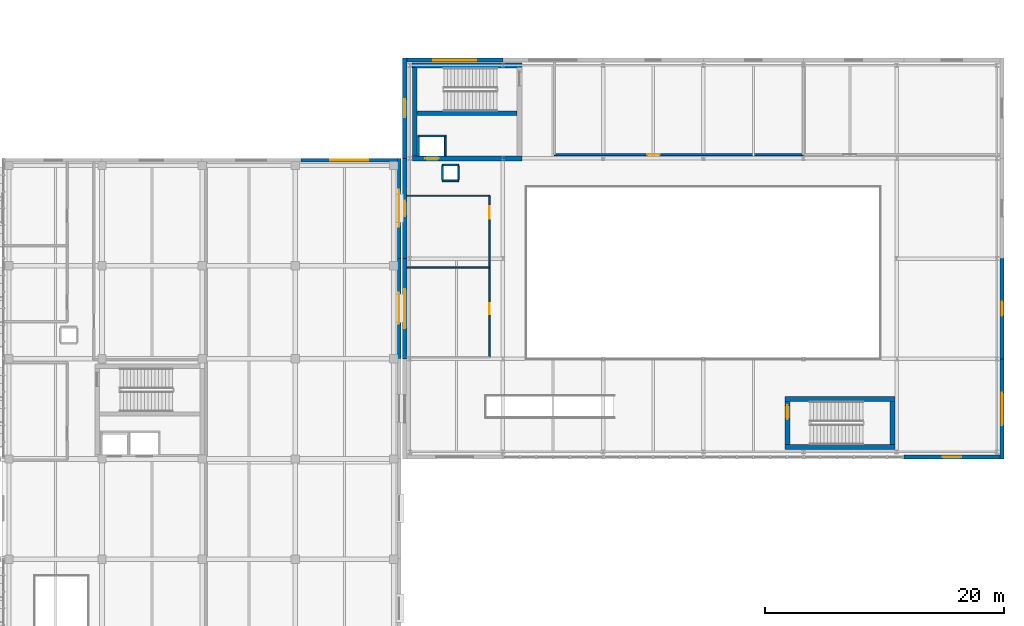
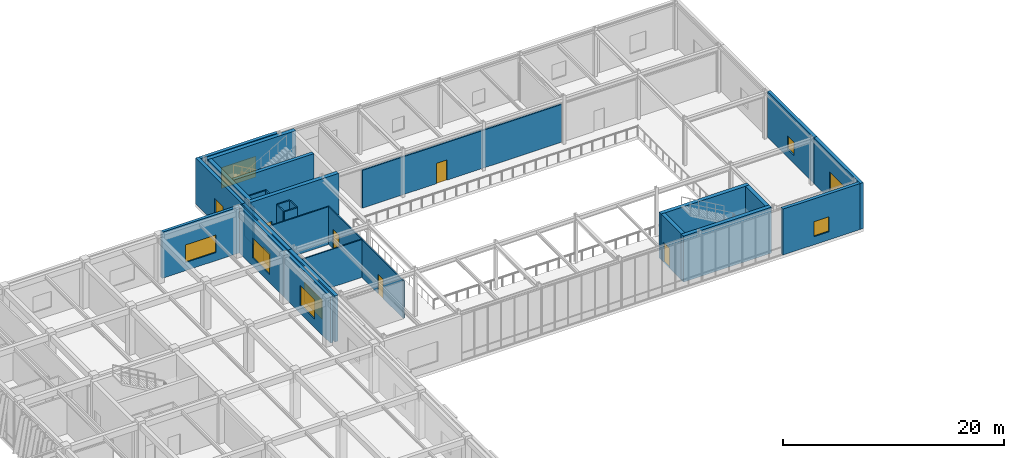
# One storey, part 119 of 139: 30 walls, 10 windows, 5 doors, 15 openings.
"""IFC4 building model written with IfcOpenShell, lengths in metres."""

from ifc_helpers import new_model, si_unit, direction, frame, frame_2d, origin, place, context, subcontext, project, spatial, rectangle, extrude, material, layer, layer_set, type_object, element, fill, save


model = new_model("IFC4")

# Units and contexts
model_context = context("Model", 3, precision=1e-05, world=origin(), true_north=direction((0.0, 1.0)))
body_context = subcontext(model_context, "Body", "Model", "MODEL_VIEW")
ifc_project = project(units=[si_unit("LENGTHUNIT", "METRE"), si_unit("AREAUNIT", "SQUARE_METRE"), si_unit("VOLUMEUNIT", "CUBIC_METRE"), si_unit("PLANEANGLEUNIT", "RADIAN"), si_unit("MASSUNIT", "GRAM", prefix="KILO")], contexts=[model_context])

# Site, building, storey
site_placement = place(None, origin())
site = spatial("IfcSite", under=ifc_project, at=site_placement, CompositionType="ELEMENT")
building_placement = place(site_placement, origin())
building = spatial("IfcBuilding", under=site, at=building_placement, Name="Zayran Congress Hotel", CompositionType="ELEMENT")
storey_placement = place(building_placement, frame((0.0, 0.0, 5.39990234375)))
storey = spatial("IfcBuildingStorey", under=building, at=storey_placement, Name="L01", CompositionType="ELEMENT", Elevation=5.39990234375)

# Wall, opening, window
ifc_material_1 = material(Name="Hajar Ma'ani limestone and insulated concrete C32/40", Category="masonry")
ifc_layer_1 = layer(ifc_material_1, 0.340087890625)
ifc_layer_set_1 = layer_set([ifc_layer_1], Name="Hajar Ma'ani limestone and insulated concrete C32/40")
wall_type_1 = type_object("IfcWallType", Name="WL-EX-340", PredefinedType="SOLIDWALL", material=ifc_layer_set_1)
wall_1_placement = place(storey_placement, frame((143.139892578125, 117.830078125, 0.0), z_axis=(0.0, 0.0, 1.0), x_axis=(1.0, 0.0, 0.0)))
wall_1 = element("IfcWall", 1, at=wall_1_placement, inside=storey, type_object=wall_type_1, Name="EW-V2-N-L01-0", PredefinedType="SOLIDWALL", context=body_context, shape_type="SweptSolid", body=[
    extrude(rectangle(XDim=8.06005859375, YDim=0.340087890625, at=frame_2d((4.030029296875, 0.0))), origin(), (0.0, 0.0, 1.0), 5.080078125),
])
opening_1_placement = place(wall_1_placement, frame((2.22998046875, 0.0, 0.89990234375)))
opening_1 = element("IfcOpeningElement", 2, at=opening_1_placement, cuts=wall_1, Name="Opening WN-21", PredefinedType="OPENING", context=body_context, shape_type="SweptSolid", body=[
    extrude(rectangle(XDim=3.60009765625, YDim=2.300048828125, at=frame_2d((1.800048828125, 1.14990234375))), frame((0.0, 0.179931640625, 0.0), z_axis=(0.0, -1.0, 0.0), x_axis=(1.0, 0.0, 0.0)), (0.0, 0.0, 1.0), 0.360107421875),
])
ifc_material_2 = material(Name="Anodised aluminium and low-E insulated glass", Category="aluminium")
window_type_1 = type_object("IfcWindowType", Name="TP-WN-21", PartitioningType="TRIPLE_PANEL_VERTICAL", PredefinedType="WINDOW", material=ifc_material_2)
window_1_placement = place(opening_1_placement, origin())
window_1 = element("IfcWindow", 3, at=window_1_placement, inside=storey, type_object=window_type_1, Name="WIN-V2-0027", OverallHeight=2.300048828125, OverallWidth=3.60009765625, PartitioningType="SINGLE_PANEL", PredefinedType="WINDOW", context=body_context, shape_type="SweptSolid", body=[
    extrude(rectangle(XDim=3.60009765625, YDim=2.300048828125, at=frame_2d((1.800048828125, 1.14990234375))), frame((0.0, 0.030029296875, 0.0), z_axis=(0.0, -1.0, 0.0), x_axis=(1.0, 0.0, 0.0)), (0.0, 0.0, 1.0), 0.06005859375),
])
fill(opening_1, window_1)

wall_2_placement = place(storey_placement, frame((192.860107421875, 84.570068359375, 0.0), z_axis=(0.0, 0.0, 1.0), x_axis=(-1.0, 0.0, 0.0)))
wall_2 = element("IfcWall", 4, at=wall_2_placement, inside=storey, type_object=wall_type_1, Name="EW-V2-S-L01-5", PredefinedType="SOLIDWALL", context=body_context, shape_type="SweptSolid", body=[
    extrude(rectangle(XDim=8.06005859375, YDim=0.340087890625, at=frame_2d((4.030029296875, 0.0))), origin(), (0.0, 0.0, 1.0), 5.080078125),
])
opening_2_placement = place(wall_2_placement, frame((3.2548828125, 0.0, 0.89990234375)))
opening_2 = element("IfcOpeningElement", 5, at=opening_2_placement, cuts=wall_2, Name="Opening WN-26", PredefinedType="OPENING", context=body_context, shape_type="SweptSolid", body=[
    extrude(rectangle(XDim=1.550048828125, YDim=1.64990234375, at=frame_2d((0.77490234375, 0.824951171875))), frame((0.0, 0.179931640625, 0.0), z_axis=(0.0, -1.0, 0.0), x_axis=(1.0, 0.0, 0.0)), (0.0, 0.0, 1.0), 0.360107421875),
])
window_type_2 = type_object("IfcWindowType", Name="TP-WN-26", PartitioningType="SINGLE_PANEL", PredefinedType="WINDOW", material=ifc_material_2)
window_2_placement = place(opening_2_placement, origin())
window_2 = element("IfcWindow", 6, at=window_2_placement, inside=storey, type_object=window_type_2, Name="WIN-V2-0032", OverallHeight=1.64990234375, OverallWidth=1.550048828125, PartitioningType="SINGLE_PANEL", PredefinedType="WINDOW", context=body_context, shape_type="SweptSolid", body=[
    extrude(rectangle(XDim=1.550048828125, YDim=1.64990234375, at=frame_2d((0.77490234375, 0.824951171875))), frame((0.0, 0.030029296875, 0.0), z_axis=(0.0, -1.0, 0.0), x_axis=(1.0, 0.0, 0.0)), (0.0, 0.0, 1.0), 0.06005859375),
])
fill(opening_2, window_2)

wall_3_placement = place(storey_placement, frame((193.030029296875, 92.800048828125, 0.0), z_axis=(0.0, 0.0, 1.0), x_axis=(0.0, -1.0, 0.0)))
wall_3 = element("IfcWall", 7, at=wall_3_placement, inside=storey, type_object=wall_type_1, Name="EW-V2-E-L01-0", PredefinedType="SOLIDWALL", context=body_context, shape_type="SweptSolid", body=[
    extrude(rectangle(XDim=8.400146484375, YDim=0.340087890625, at=frame_2d((4.2001953125, 0.0))), origin(), (0.0, 0.0, 1.0), 5.080078125),
])
opening_3_placement = place(wall_3_placement, frame((2.824951171875, 0.0, 0.89990234375)))
opening_3 = element("IfcOpeningElement", 8, at=opening_3_placement, cuts=wall_3, Name="Opening WN-29", PredefinedType="OPENING", context=body_context, shape_type="SweptSolid", body=[
    extrude(rectangle(XDim=2.75, YDim=2.10009765625, at=frame_2d((1.375, 1.050048828125))), frame((0.0, 0.179931640625, 0.0), z_axis=(0.0, -1.0, 0.0), x_axis=(1.0, 0.0, 0.0)), (0.0, 0.0, 1.0), 0.360107421875),
])
window_type_3 = type_object("IfcWindowType", Name="TP-WN-29", PartitioningType="TRIPLE_PANEL_VERTICAL", PredefinedType="WINDOW", material=ifc_material_2)
window_3_placement = place(opening_3_placement, origin())
window_3 = element("IfcWindow", 9, at=window_3_placement, inside=storey, type_object=window_type_3, Name="WIN-V2-0035", OverallHeight=2.10009765625, OverallWidth=2.75, PartitioningType="SINGLE_PANEL", PredefinedType="WINDOW", context=body_context, shape_type="SweptSolid", body=[
    extrude(rectangle(XDim=2.75, YDim=2.10009765625, at=frame_2d((1.375, 1.050048828125))), frame((0.0, 0.030029296875, 0.0), z_axis=(0.0, -1.0, 0.0), x_axis=(1.0, 0.0, 0.0)), (0.0, 0.0, 1.0), 0.06005859375),
])
fill(opening_3, window_3)

wall_4_placement = place(storey_placement, frame((142.969970703125, 92.800048828125, 0.0), z_axis=(0.0, 0.0, 1.0), x_axis=(0.0, 1.0, 0.0)))
wall_4 = element("IfcWall", 10, at=wall_4_placement, inside=storey, type_object=wall_type_1, Name="EW-V2-W-L01-1", PredefinedType="SOLIDWALL", context=body_context, shape_type="SweptSolid", body=[
    extrude(rectangle(XDim=8.39990234375, YDim=0.340087890625, at=frame_2d((4.199951171875, 0.0))), origin(), (0.0, 0.0, 1.0), 5.080078125),
])
opening_4_placement = place(wall_4_placement, frame((2.550048828125, 0.0, 0.89990234375)))
opening_4 = element("IfcOpeningElement", 11, at=opening_4_placement, cuts=wall_4, Name="Opening WN-30", PredefinedType="OPENING", context=body_context, shape_type="SweptSolid", body=[
    extrude(rectangle(XDim=3.300048828125, YDim=2.14990234375, at=frame_2d((1.64990234375, 1.074951171875))), frame((0.0, 0.179931640625, 0.0), z_axis=(0.0, -1.0, 0.0), x_axis=(1.0, 0.0, 0.0)), (0.0, 0.0, 1.0), 0.360107421875),
])
window_type_4 = type_object("IfcWindowType", Name="TP-WN-30", PartitioningType="TRIPLE_PANEL_VERTICAL", PredefinedType="WINDOW", material=ifc_material_2)
window_4_placement = place(opening_4_placement, origin())
window_4 = element("IfcWindow", 12, at=window_4_placement, inside=storey, type_object=window_type_4, Name="WIN-V2-0036", OverallHeight=2.14990234375, OverallWidth=3.300048828125, PartitioningType="SINGLE_PANEL", PredefinedType="WINDOW", context=body_context, shape_type="SweptSolid", body=[
    extrude(rectangle(XDim=3.300048828125, YDim=2.14990234375, at=frame_2d((1.64990234375, 1.074951171875))), frame((0.0, 0.030029296875, 0.0), z_axis=(0.0, -1.0, 0.0), x_axis=(1.0, 0.0, 0.0)), (0.0, 0.0, 1.0), 0.06005859375),
])
fill(opening_4, window_4)

wall_5_placement = place(storey_placement, frame((193.030029296875, 101.199951171875, 0.0), z_axis=(0.0, 0.0, 1.0), x_axis=(0.0, -1.0, 0.0)))
wall_5 = element("IfcWall", 13, at=wall_5_placement, inside=storey, type_object=wall_type_1, Name="EW-V2-E-L01-1", PredefinedType="SOLIDWALL", context=body_context, shape_type="SweptSolid", body=[
    extrude(rectangle(XDim=8.39990234375, YDim=0.340087890625, at=frame_2d((4.199951171875, 0.0))), origin(), (0.0, 0.0, 1.0), 5.080078125),
])
opening_5_placement = place(wall_5_placement, frame((3.610107421875, 0.0, 0.89990234375)))
opening_5 = element("IfcOpeningElement", 14, at=opening_5_placement, cuts=wall_5, Name="Opening WN-31", PredefinedType="OPENING", context=body_context, shape_type="SweptSolid", body=[
    extrude(rectangle(XDim=1.179931640625, YDim=1.5, at=frame_2d((0.58984375, 0.75))), frame((0.0, 0.179931640625, 0.0), z_axis=(0.0, -1.0, 0.0), x_axis=(1.0, 0.0, 0.0)), (0.0, 0.0, 1.0), 0.360107421875),
])
window_type_5 = type_object("IfcWindowType", Name="TP-WN-31", PartitioningType="SINGLE_PANEL", PredefinedType="WINDOW", material=ifc_material_2)
window_5_placement = place(opening_5_placement, origin())
window_5 = element("IfcWindow", 15, at=window_5_placement, inside=storey, type_object=window_type_5, Name="WIN-V2-0037", OverallHeight=1.5, OverallWidth=1.179931640625, PartitioningType="SINGLE_PANEL", PredefinedType="WINDOW", context=body_context, shape_type="SweptSolid", body=[
    extrude(rectangle(XDim=1.179931640625, YDim=1.5, at=frame_2d((0.58984375, 0.75))), frame((0.0, 0.030029296875, 0.0), z_axis=(0.0, -1.0, 0.0), x_axis=(1.0, 0.0, 0.0)), (0.0, 0.0, 1.0), 0.06005859375),
])
fill(opening_5, window_5)

wall_6_placement = place(storey_placement, frame((142.969970703125, 101.199951171875, 0.0), z_axis=(0.0, 0.0, 1.0), x_axis=(0.0, 1.0, 0.0)))
wall_6 = element("IfcWall", 16, at=wall_6_placement, inside=storey, type_object=wall_type_1, Name="EW-V2-W-L01-2", PredefinedType="SOLIDWALL", context=body_context, shape_type="SweptSolid", body=[
    extrude(rectangle(XDim=8.400146484375, YDim=0.340087890625, at=frame_2d((4.2001953125, 0.0))), origin(), (0.0, 0.0, 1.0), 5.080078125),
])
opening_6_placement = place(wall_6_placement, frame((3.56005859375, 0.0, 0.89990234375)))
opening_6 = element("IfcOpeningElement", 17, at=opening_6_placement, cuts=wall_6, Name="Opening WN-32", PredefinedType="OPENING", context=body_context, shape_type="SweptSolid", body=[
    extrude(rectangle(XDim=1.280029296875, YDim=1.60009765625, at=frame_2d((0.64013671875, 0.800048828125))), frame((0.0, 0.179931640625, 0.0), z_axis=(0.0, -1.0, 0.0), x_axis=(1.0, 0.0, 0.0)), (0.0, 0.0, 1.0), 0.360107421875),
])
window_type_6 = type_object("IfcWindowType", Name="TP-WN-32", PartitioningType="SINGLE_PANEL", PredefinedType="WINDOW", material=ifc_material_2)
window_6_placement = place(opening_6_placement, origin())
window_6 = element("IfcWindow", 18, at=window_6_placement, inside=storey, type_object=window_type_6, Name="WIN-V2-0038", OverallHeight=1.60009765625, OverallWidth=1.280029296875, PartitioningType="SINGLE_PANEL", PredefinedType="WINDOW", context=body_context, shape_type="SweptSolid", body=[
    extrude(rectangle(XDim=1.280029296875, YDim=1.60009765625, at=frame_2d((0.64013671875, 0.800048828125))), frame((0.0, 0.030029296875, 0.0), z_axis=(0.0, -1.0, 0.0), x_axis=(1.0, 0.0, 0.0)), (0.0, 0.0, 1.0), 0.06005859375),
])
fill(opening_6, window_6)

wall_7_placement = place(storey_placement, frame((142.969970703125, 109.60009765625, 0.0), z_axis=(0.0, 0.0, 1.0), x_axis=(0.0, 1.0, 0.0)))
wall_7 = element("IfcWall", 19, at=wall_7_placement, inside=storey, type_object=wall_type_1, Name="EW-V2-W-L01-3", PredefinedType="SOLIDWALL", context=body_context, shape_type="SweptSolid", body=[
    extrude(rectangle(XDim=8.39990234375, YDim=0.340087890625, at=frame_2d((4.199951171875, 0.0))), origin(), (0.0, 0.0, 1.0), 5.080078125),
])
opening_7_placement = place(wall_7_placement, frame((3.4599609375, 0.0, 0.89990234375)))
opening_7 = element("IfcOpeningElement", 20, at=opening_7_placement, cuts=wall_7, Name="Opening WN-34", PredefinedType="OPENING", context=body_context, shape_type="SweptSolid", body=[
    extrude(rectangle(XDim=1.47998046875, YDim=1.800048828125, at=frame_2d((0.739990234375, 0.89990234375))), frame((0.0, 0.179931640625, 0.0), z_axis=(0.0, -1.0, 0.0), x_axis=(1.0, 0.0, 0.0)), (0.0, 0.0, 1.0), 0.360107421875),
])
window_type_7 = type_object("IfcWindowType", Name="TP-WN-34", PartitioningType="SINGLE_PANEL", PredefinedType="WINDOW", material=ifc_material_2)
window_7_placement = place(opening_7_placement, origin())
window_7 = element("IfcWindow", 21, at=window_7_placement, inside=storey, type_object=window_type_7, Name="WIN-V2-0040", OverallHeight=1.800048828125, OverallWidth=1.47998046875, PartitioningType="SINGLE_PANEL", PredefinedType="WINDOW", context=body_context, shape_type="SweptSolid", body=[
    extrude(rectangle(XDim=1.47998046875, YDim=1.800048828125, at=frame_2d((0.739990234375, 0.89990234375))), frame((0.0, 0.030029296875, 0.0), z_axis=(0.0, -1.0, 0.0), x_axis=(1.0, 0.0, 0.0)), (0.0, 0.0, 1.0), 0.06005859375),
])
fill(opening_7, window_7)

ifc_material_3 = material(Name="Ajlun white limestone and insulated concrete C32/40", Category="masonry")
ifc_layer_2 = layer(ifc_material_3, 0.300048828125)
ifc_layer_set_2 = layer_set([ifc_layer_2], Name="Ajlun white limestone and insulated concrete C32/40")
wall_type_2 = type_object("IfcWallType", Name="WL-EX-300", PredefinedType="SOLIDWALL", material=ifc_layer_set_2)
wall_8_placement = place(storey_placement, frame((134.287109375, 109.449951171875, 0.0), z_axis=(0.0, 0.0, 1.0), x_axis=(1.0, 0.0, 0.0)))
wall_8 = element("IfcWall", 22, at=wall_8_placement, inside=storey, type_object=wall_type_2, Name="EW-V4-N-L01-3", PredefinedType="SOLIDWALL", context=body_context, shape_type="SweptSolid", body=[
    extrude(rectangle(XDim=8.06298828125, YDim=0.300048828125, at=frame_2d((4.031494140625, 0.0))), origin(), (0.0, 0.0, 1.0), 5.10009765625),
])
opening_8_placement = place(wall_8_placement, frame((2.431884765625, 0.0, 0.89990234375)))
opening_8 = element("IfcOpeningElement", 23, at=opening_8_placement, cuts=wall_8, Name="Opening WN-12", PredefinedType="OPENING", context=body_context, shape_type="SweptSolid", body=[
    extrude(rectangle(XDim=3.199951171875, YDim=1.949951171875, at=frame_2d((1.60009765625, 0.97509765625))), frame((0.0, 0.159912109375, 0.0), z_axis=(0.0, -1.0, 0.0), x_axis=(1.0, 0.0, 0.0)), (0.0, 0.0, 1.0), 0.320068359375),
])
window_type_8 = type_object("IfcWindowType", Name="TP-WN-12", PartitioningType="TRIPLE_PANEL_VERTICAL", PredefinedType="WINDOW", material=ifc_material_2)
window_8_placement = place(opening_8_placement, origin())
window_8 = element("IfcWindow", 24, at=window_8_placement, inside=storey, type_object=window_type_8, Name="WIN-V4-0124", OverallHeight=1.949951171875, OverallWidth=3.199951171875, PartitioningType="SINGLE_PANEL", PredefinedType="WINDOW", context=body_context, shape_type="SweptSolid", body=[
    extrude(rectangle(XDim=3.199951171875, YDim=1.949951171875, at=frame_2d((1.60009765625, 0.97509765625))), frame((0.0, 0.030029296875, 0.0), z_axis=(0.0, -1.0, 0.0), x_axis=(1.0, 0.0, 0.0)), (0.0, 0.0, 1.0), 0.06005859375),
])
fill(opening_8, window_8)

wall_9_placement = place(storey_placement, frame((142.5, 101.218994140625, 0.0), z_axis=(0.0, 0.0, 1.0), x_axis=(0.0, -1.0, 0.0)))
wall_9 = element("IfcWall", 25, at=wall_9_placement, inside=storey, type_object=wall_type_2, Name="EW-V4-E-L01-6", PredefinedType="SOLIDWALL", context=body_context, shape_type="SweptSolid", body=[
    extrude(rectangle(XDim=8.382080078125, YDim=0.300048828125, at=frame_2d((4.19091796875, 0.0))), origin(), (0.0, 0.0, 1.0), 5.10009765625),
])
opening_9_placement = place(wall_9_placement, frame((2.89111328125, 0.0, 0.89990234375)))
opening_9 = element("IfcOpeningElement", 26, at=opening_9_placement, cuts=wall_9, Name="Opening WN-19", PredefinedType="OPENING", context=body_context, shape_type="SweptSolid", body=[
    extrude(rectangle(XDim=2.60009765625, YDim=2.199951171875, at=frame_2d((1.300048828125, 1.10009765625))), frame((0.0, 0.159912109375, 0.0), z_axis=(0.0, -1.0, 0.0), x_axis=(1.0, 0.0, 0.0)), (0.0, 0.0, 1.0), 0.320068359375),
])
window_type_9 = type_object("IfcWindowType", Name="TP-WN-19", PartitioningType="DOUBLE_PANEL_VERTICAL", PredefinedType="WINDOW", material=ifc_material_2)
window_9_placement = place(opening_9_placement, origin())
window_9 = element("IfcWindow", 27, at=window_9_placement, inside=storey, type_object=window_type_9, Name="WIN-V4-0131", OverallHeight=2.199951171875, OverallWidth=2.60009765625, PartitioningType="SINGLE_PANEL", PredefinedType="WINDOW", context=body_context, shape_type="SweptSolid", body=[
    extrude(rectangle(XDim=2.60009765625, YDim=2.199951171875, at=frame_2d((1.300048828125, 1.10009765625))), frame((0.0, 0.030029296875, 0.0), z_axis=(0.0, -1.0, 0.0), x_axis=(1.0, 0.0, 0.0)), (0.0, 0.0, 1.0), 0.06005859375),
])
fill(opening_9, window_9)

wall_10_placement = place(storey_placement, frame((142.5, 109.60009765625, 0.0), z_axis=(0.0, 0.0, 1.0), x_axis=(0.0, -1.0, 0.0)))
wall_10 = element("IfcWall", 28, at=wall_10_placement, inside=storey, type_object=wall_type_2, Name="EW-V4-E-L01-7", PredefinedType="SOLIDWALL", context=body_context, shape_type="SweptSolid", body=[
    extrude(rectangle(XDim=8.381103515625, YDim=0.300048828125, at=frame_2d((4.1904296875, 0.0))), origin(), (0.0, 0.0, 1.0), 5.10009765625),
])
opening_10_placement = place(wall_10_placement, frame((2.64111328125, 0.0, 0.89990234375)))
opening_10 = element("IfcOpeningElement", 29, at=opening_10_placement, cuts=wall_10, Name="Opening WN-20", PredefinedType="OPENING", context=body_context, shape_type="SweptSolid", body=[
    extrude(rectangle(XDim=3.10009765625, YDim=2.199951171875, at=frame_2d((1.550048828125, 1.10009765625))), frame((0.0, 0.159912109375, 0.0), z_axis=(0.0, -1.0, 0.0), x_axis=(1.0, 0.0, 0.0)), (0.0, 0.0, 1.0), 0.320068359375),
])
window_type_10 = type_object("IfcWindowType", Name="TP-WN-20", PartitioningType="TRIPLE_PANEL_VERTICAL", PredefinedType="WINDOW", material=ifc_material_2)
window_10_placement = place(opening_10_placement, origin())
window_10 = element("IfcWindow", 30, at=window_10_placement, inside=storey, type_object=window_type_10, Name="WIN-V4-0132", OverallHeight=2.199951171875, OverallWidth=3.10009765625, PartitioningType="SINGLE_PANEL", PredefinedType="WINDOW", context=body_context, shape_type="SweptSolid", body=[
    extrude(rectangle(XDim=3.10009765625, YDim=2.199951171875, at=frame_2d((1.550048828125, 1.10009765625))), frame((0.0, 0.030029296875, 0.0), z_axis=(0.0, -1.0, 0.0), x_axis=(1.0, 0.0, 0.0)), (0.0, 0.0, 1.0), 0.06005859375),
])
fill(opening_10, window_10)

# Wall, opening, door
ifc_material_4 = material(Name="Concrete C40/50", Category="concrete")
ifc_layer_3 = layer(ifc_material_4, 0.39990234375)
ifc_layer_set_3 = layer_set([ifc_layer_3], Name="Concrete C40/50")
wall_type_3 = type_object("IfcWallType", Name="WL-SH-400", PredefinedType="SHEAR", material=ifc_layer_set_3)
wall_11_placement = place(storey_placement, frame((143.60009765625, 109.60009765625, 0.0), z_axis=(0.0, 0.0, 1.0), x_axis=(1.0, 0.0, 0.0)))
wall_11 = element("IfcWall", 31, at=wall_11_placement, inside=storey, type_object=wall_type_3, Name="CWALL-C-V2W-L01-S", PredefinedType="SHEAR", context=body_context, shape_type="SweptSolid", body=[
    extrude(rectangle(XDim=9.199951171875, YDim=0.39990234375, at=frame_2d((4.60009765625, 0.0))), origin(), (0.0, 0.0, 1.0), 5.080078125),
])
opening_11_placement = place(wall_11_placement, frame((1.10009765625, 0.0, 0.0)))
opening_11 = element("IfcOpeningElement", 32, at=opening_11_placement, cuts=wall_11, Name="Opening LD-PL07", PredefinedType="OPENING", context=body_context, shape_type="SweptSolid", body=[
    extrude(rectangle(XDim=1.10009765625, YDim=2.199951171875, at=frame_2d((0.550048828125, 1.10009765625))), frame((0.0, 0.2099609375, 0.0), z_axis=(0.0, -1.0, 0.0), x_axis=(1.0, 0.0, 0.0)), (0.0, 0.0, 1.0), 0.419921875),
])
ifc_material_5 = material(Name="Brushed stainless steel sliding lift landing door", Category="steel")
door_type_1 = type_object("IfcDoorType", Name="TP-DR-LD-01", OperationType="DOUBLE_DOOR_SLIDING", PredefinedType="DOOR", material=ifc_material_5)
door_1_placement = place(opening_11_placement, origin())
door_1 = element("IfcDoor", 33, at=door_1_placement, inside=storey, type_object=door_type_1, Name="Lift PL-07 Sliding Landing Door L01", OperationType="DOUBLE_DOOR_SLIDING", OverallHeight=2.199951171875, OverallWidth=1.10009765625, PredefinedType="DOOR", context=body_context, shape_type="SweptSolid", body=[
    extrude(rectangle(XDim=1.10009765625, YDim=2.199951171875, at=frame_2d((0.550048828125, 1.10009765625))), frame((0.0, 0.02490234375, 0.0), z_axis=(0.0, -1.0, 0.0), x_axis=(1.0, 0.0, 0.0)), (0.0, 0.0, 1.0), 0.050048828125),
])
fill(opening_11, door_1)

# Walls
wall_12_placement = place(storey_placement, frame((152.800048828125, 117.385009765625, 0.0), z_axis=(0.0, 0.0, 1.0), x_axis=(-1.0, 0.0, 0.0)))
element("IfcWall", 34, at=wall_12_placement, inside=storey, type_object=wall_type_3, Name="CWALL-C-V2W-L01-N", PredefinedType="SHEAR", context=body_context, shape_type="SweptSolid", body=[
    extrude(rectangle(XDim=9.199951171875, YDim=0.39990234375, at=frame_2d((4.60009765625, 0.0))), origin(), (0.0, 0.0, 1.0), 5.080078125),
])
wall_13_placement = place(storey_placement, frame((143.800048828125, 117.199951171875, 0.0), z_axis=(0.0, 0.0, 1.0), x_axis=(0.0, -1.0, 0.0)))
element("IfcWall", 35, at=wall_13_placement, inside=storey, type_object=wall_type_3, Name="CWALL-C-V2W-L01-W", PredefinedType="SHEAR", context=body_context, shape_type="SweptSolid", body=[
    extrude(rectangle(XDim=7.39990234375, YDim=0.39990234375, at=frame_2d((3.699951171875, 0.0))), origin(), (0.0, 0.0, 1.0), 5.080078125),
])
for number, where, z_axis, x_axis, name in (
    (36, (174.85009765625, 85.39990234375, 0.0), (0.0, 0.0, 1.0), (1.0, 0.0, 0.0), "CWALL-C-V2E-L01-S"),
    (37, (184.050048828125, 89.425048828125, 0.0), (0.0, 0.0, 1.0), (-1.0, 0.0, 0.0), "CWALL-C-V2E-L01-N"),
):
    element("IfcWall", number, at=place(storey_placement, frame(where, z_axis=z_axis, x_axis=x_axis)), inside=storey, type_object=wall_type_3, Name=name, PredefinedType="SHEAR", context=body_context, shape_type="SweptSolid", body=[
        extrude(rectangle(XDim=9.199951171875, YDim=0.39990234375, at=frame_2d((4.60009765625, 0.0))), origin(), (0.0, 0.0, 1.0), 5.080078125),
    ])

# Wall, opening, door
wall_14_placement = place(storey_placement, frame((175.050048828125, 89.239990234375, 0.0), z_axis=(0.0, 0.0, 1.0), x_axis=(0.0, -1.0, 0.0)))
wall_14 = element("IfcWall", 38, at=wall_14_placement, inside=storey, type_object=wall_type_3, Name="CWALL-C-V2E-L01-W", PredefinedType="SHEAR", context=body_context, shape_type="SweptSolid", body=[
    extrude(rectangle(XDim=3.639892578125, YDim=0.39990234375, at=frame_2d((1.81982421875, 0.0))), origin(), (0.0, 0.0, 1.0), 5.080078125),
])
opening_12_placement = place(wall_14_placement, frame((0.35009765625, 0.0, 0.0)))
opening_12 = element("IfcOpeningElement", 39, at=opening_12_placement, cuts=wall_14, Name="Opening DR-FD-90", PredefinedType="OPENING", context=body_context, shape_type="SweptSolid", body=[
    extrude(rectangle(XDim=1.14990234375, YDim=2.199951171875, at=frame_2d((0.574951171875, 1.10009765625))), frame((0.0, 0.2099609375, 0.0), z_axis=(0.0, -1.0, 0.0), x_axis=(1.0, 0.0, 0.0)), (0.0, 0.0, 1.0), 0.419921875),
])
ifc_material_6 = material(Name="Painted steel fire door assembly", Category="steel")
door_type_2 = type_object("IfcDoorType", Name="TP-DR-FD-90", OperationType="NOTDEFINED", PredefinedType="DOOR", material=ifc_material_6)
door_2_placement = place(opening_12_placement, origin())
door_2 = element("IfcDoor", 40, at=door_2_placement, inside=storey, type_object=door_type_2, Name="ST-10 Exit Stair Door L01", OperationType="SINGLE_SWING_LEFT", OverallHeight=2.199951171875, OverallWidth=1.14990234375, PredefinedType="DOOR", context=body_context, shape_type="SweptSolid", body=[
    extrude(rectangle(XDim=1.14990234375, YDim=2.199951171875, at=frame_2d((0.574951171875, 1.10009765625))), frame((0.0, 0.02490234375, 0.0), z_axis=(0.0, -1.0, 0.0), x_axis=(1.0, 0.0, 0.0)), (0.0, 0.0, 1.0), 0.050048828125),
])
fill(opening_12, door_2)

# Walls
wall_15_placement = place(storey_placement, frame((183.85009765625, 85.60009765625, 0.0), z_axis=(0.0, 0.0, 1.0), x_axis=(0.0, 1.0, 0.0)))
element("IfcWall", 41, at=wall_15_placement, inside=storey, type_object=wall_type_3, Name="CWALL-C-V2E-L01-E", PredefinedType="SHEAR", context=body_context, shape_type="SweptSolid", body=[
    extrude(rectangle(XDim=3.639892578125, YDim=0.39990234375, at=frame_2d((1.81982421875, 0.0))), origin(), (0.0, 0.0, 1.0), 5.080078125),
])
ifc_layer_4 = layer(ifc_material_4, 0.35009765625)
ifc_layer_set_4 = layer_set([ifc_layer_4], Name="Concrete C40/50")
wall_type_4 = type_object("IfcWallType", Name="WL-SH-350", PredefinedType="SHEAR", material=ifc_layer_set_4)
wall_16_placement = place(storey_placement, frame((144.0, 113.385009765625, 0.0), z_axis=(0.0, 0.0, 1.0), x_axis=(1.0, 0.0, 0.0)))
element("IfcWall", 42, at=wall_16_placement, inside=storey, type_object=wall_type_4, Name="CWALL-C-V2W-L01-SPN", PredefinedType="SHEAR", context=body_context, shape_type="SweptSolid", body=[
    extrude(rectangle(XDim=8.39990234375, YDim=0.35009765625, at=frame_2d((4.199951171875, 0.0))), origin(), (0.0, 0.0, 1.0), 5.080078125),
])

# Wall, opening, door
ifc_material_7 = material(Name="Acoustic twin-stud gypsum partition", Category="gypsum")
ifc_layer_5 = layer(ifc_material_7, 0.159912109375)
ifc_layer_set_5 = layer_set([ifc_layer_5], Name="Acoustic twin-stud gypsum partition")
wall_type_5 = type_object("IfcWallType", Name="WL-PT-160", PredefinedType="PARTITIONING", material=ifc_layer_set_5)
wall_17_placement = place(storey_placement, frame((155.52001953125, 109.919921875, 0.0), z_axis=(0.0, 0.0, 1.0), x_axis=(1.0, 0.0, 0.0)))
wall_17 = element("IfcWall", 43, at=wall_17_placement, inside=storey, type_object=wall_type_5, Name="IW-L01-0417", PredefinedType="PARTITIONING", context=body_context, shape_type="SweptSolid", body=[
    extrude(rectangle(XDim=20.85986328125, YDim=0.159912109375, at=frame_2d((10.429931640625, 0.0))), origin(), (0.0, 0.0, 1.0), 4.18017578125),
])
opening_13_placement = place(wall_17_placement, frame((7.763916015625, 0.0, 0.0)))
opening_13 = element("IfcOpeningElement", 44, at=opening_13_placement, cuts=wall_17, Name="Opening DR-MT-01", PredefinedType="OPENING", context=body_context, shape_type="SweptSolid", body=[
    extrude(rectangle(XDim=1.080078125, YDim=2.25, at=frame_2d((0.5400390625, 1.125))), frame((0.0, 0.08984375, 0.0), z_axis=(0.0, -1.0, 0.0), x_axis=(1.0, 0.0, 0.0)), (0.0, 0.0, 1.0), 0.179931640625),
])
ifc_material_8 = material(Name="Acoustic timber seminar room door", Category="wood")
door_type_3 = type_object("IfcDoorType", Name="TP-DR-MT-01", OperationType="NOTDEFINED", PredefinedType="DOOR", material=ifc_material_8)
door_3_placement = place(opening_13_placement, origin())
door_3 = element("IfcDoor", 45, at=door_3_placement, inside=storey, type_object=door_type_3, Name="Bridal and VIP Reception Suite Door", OperationType="SINGLE_SWING_LEFT", OverallHeight=2.25, OverallWidth=1.080078125, PredefinedType="DOOR", context=body_context, shape_type="SweptSolid", body=[
    extrude(rectangle(XDim=1.080078125, YDim=2.25, at=frame_2d((0.5400390625, 1.125))), frame((0.0, 0.02490234375, 0.0), z_axis=(0.0, -1.0, 0.0), x_axis=(1.0, 0.0, 0.0)), (0.0, 0.0, 1.0), 0.050048828125),
])
fill(opening_13, door_3)

# Walls
ifc_material_9 = material(Name="Hospitality guestroom acoustic partition", Category="gypsum")
ifc_layer_6 = layer(ifc_material_9, 0.139892578125)
ifc_layer_set_6 = layer_set([ifc_layer_6], Name="Hospitality guestroom acoustic partition")
wall_type_6 = type_object("IfcWallType", Name="WL-PT-140", PredefinedType="PARTITIONING", material=ifc_layer_set_6)
for number, where, z_axis, x_axis, name in (
    (46, (144.1298828125, 109.800048828125, 0.0), (0.0, 0.0, 1.0), (0.0, 1.0, 0.0), "LSHW-C-V2W-L01-W"),
    (47, (146.3701171875, 109.800048828125, 0.0), (0.0, 0.0, 1.0), (0.0, 1.0, 0.0), "LSHW-C-V2W-L01-E"),
):
    element("IfcWall", number, at=place(storey_placement, frame(where, z_axis=z_axis, x_axis=x_axis)), inside=storey, type_object=wall_type_6, Name=name, PredefinedType="PARTITIONING", context=body_context, shape_type="SweptSolid", body=[
        extrude(rectangle(XDim=1.599853515625, YDim=0.139892578125, at=frame_2d((0.7998046875, 0.0))), origin(), (0.0, 0.0, 1.0), 4.22998046875),
    ])
wall_18_placement = place(storey_placement, frame((144.06005859375, 111.469970703125, 0.0), z_axis=(0.0, 0.0, 1.0), x_axis=(1.0, 0.0, 0.0)))
element("IfcWall", 48, at=wall_18_placement, inside=storey, type_object=wall_type_6, Name="LSHW-C-V2W-L01-N", PredefinedType="PARTITIONING", context=body_context, shape_type="SweptSolid", body=[
    extrude(rectangle(XDim=2.3798828125, YDim=0.139892578125, at=frame_2d((1.18994140625, 0.0))), origin(), (0.0, 0.0, 1.0), 4.22998046875),
])
for number, where, z_axis, x_axis, name in (
    (49, (146.1298828125, 107.72998046875, 0.0), (0.0, 0.0, 1.0), (1.0, 0.0, 0.0), "RSWL-V2-L01-010-S"),
    (50, (147.489990234375, 109.050048828125, 0.0), (0.0, 0.0, 1.0), (-1.0, 0.0, 0.0), "RSWL-V2-L01-010-N"),
):
    element("IfcWall", number, at=place(storey_placement, frame(where, z_axis=z_axis, x_axis=x_axis)), inside=storey, type_object=wall_type_6, Name=name, PredefinedType="PARTITIONING", context=body_context, shape_type="SweptSolid", body=[
        extrude(rectangle(XDim=1.360107421875, YDim=0.139892578125, at=frame_2d((0.68017578125, 0.0))), origin(), (0.0, 0.0, 1.0), 4.2001953125),
    ])
for number, where, z_axis, x_axis, name in (
    (51, (146.1298828125, 108.97998046875, 0.0), (0.0, 0.0, 1.0), (0.0, -1.0, 0.0), "RSWL-V2-L01-010-W"),
    (52, (147.489990234375, 107.800048828125, 0.0), (0.0, 0.0, 1.0), (0.0, 1.0, 0.0), "RSWL-V2-L01-010-E"),
):
    element("IfcWall", number, at=place(storey_placement, frame(where, z_axis=z_axis, x_axis=x_axis)), inside=storey, type_object=wall_type_6, Name=name, PredefinedType="PARTITIONING", context=body_context, shape_type="SweptSolid", body=[
        extrude(rectangle(XDim=1.179931640625, YDim=0.139892578125, at=frame_2d((0.58984375, 0.0))), origin(), (0.0, 0.0, 1.0), 4.2001953125),
    ])

# Wall, opening, door
ifc_material_10 = material(Name="Moisture-resistant bathroom partition", Category="gypsum")
ifc_layer_7 = layer(ifc_material_10, 0.1201171875)
ifc_layer_set_7 = layer_set([ifc_layer_7], Name="Moisture-resistant bathroom partition")
wall_type_7 = type_object("IfcWallType", Name="WL-PT-120", PredefinedType="PARTITIONING", material=ifc_layer_set_7)
wall_19_placement = place(storey_placement, frame((150.070068359375, 92.919921875, 0.0), z_axis=(0.0, 0.0, 1.0), x_axis=(0.0, 1.0, 0.0)))
wall_19 = element("IfcWall", 53, at=wall_19_placement, inside=storey, type_object=wall_type_7, Name="IW-L01-0349", PredefinedType="PARTITIONING", context=body_context, shape_type="SweptSolid", body=[
    extrude(rectangle(XDim=7.56005859375, YDim=0.1201171875, at=frame_2d((3.780029296875, 0.0))), origin(), (0.0, 0.0, 1.0), 4.18017578125),
])
opening_14_placement = place(wall_19_placement, frame((3.6201171875, 0.0, 0.0)))
opening_14 = element("IfcOpeningElement", 54, at=opening_14_placement, cuts=wall_19, Name="Opening DR-WC-01", PredefinedType="OPENING", context=body_context, shape_type="SweptSolid", body=[
    extrude(rectangle(XDim=0.919921875, YDim=2.14990234375, at=frame_2d((0.4599609375, 1.074951171875))), frame((0.0, 0.070068359375, 0.0), z_axis=(0.0, -1.0, 0.0), x_axis=(1.0, 0.0, 0.0)), (0.0, 0.0, 1.0), 0.14013671875),
])
ifc_material_11 = material(Name="Laminated timber public washroom door", Category="wood")
door_type_4 = type_object("IfcDoorType", Name="TP-DR-WC-01", OperationType="NOTDEFINED", PredefinedType="DOOR", material=ifc_material_11)
door_4_placement = place(opening_14_placement, origin())
door_4 = element("IfcDoor", 55, at=door_4_placement, inside=storey, type_object=door_type_4, Name="Public WC L01 Ballroom Door", OperationType="SINGLE_SWING_RIGHT", OverallHeight=2.14990234375, OverallWidth=0.919921875, PredefinedType="DOOR", context=body_context, shape_type="SweptSolid", body=[
    extrude(rectangle(XDim=0.919921875, YDim=2.14990234375, at=frame_2d((0.4599609375, 1.074951171875))), frame((0.0, 0.02490234375, 0.0), z_axis=(0.0, -1.0, 0.0), x_axis=(1.0, 0.0, 0.0)), (0.0, 0.0, 1.0), 0.050048828125),
])
fill(opening_14, door_4)

wall_20_placement = place(storey_placement, frame((150.070068359375, 100.52001953125, 0.0), z_axis=(0.0, 0.0, 1.0), x_axis=(0.0, 1.0, 0.0)))
wall_20 = element("IfcWall", 56, at=wall_20_placement, inside=storey, type_object=wall_type_7, Name="IW-L01-0350", PredefinedType="PARTITIONING", context=body_context, shape_type="SweptSolid", body=[
    extrude(rectangle(XDim=5.9599609375, YDim=0.1201171875, at=frame_2d((2.97998046875, 0.0))), origin(), (0.0, 0.0, 1.0), 4.18017578125),
])
opening_15_placement = place(wall_20_placement, frame((4.0400390625, 0.0, 0.0)))
opening_15 = element("IfcOpeningElement", 57, at=opening_15_placement, cuts=wall_20, Name="Opening DR-WC-02", PredefinedType="OPENING", context=body_context, shape_type="SweptSolid", body=[
    extrude(rectangle(XDim=1.0400390625, YDim=2.14990234375, at=frame_2d((0.52001953125, 1.074951171875))), frame((0.0, 0.070068359375, 0.0), z_axis=(0.0, -1.0, 0.0), x_axis=(1.0, 0.0, 0.0)), (0.0, 0.0, 1.0), 0.14013671875),
])
ifc_material_12 = material(Name="Accessible public washroom door", Category="steel")
door_type_5 = type_object("IfcDoorType", Name="TP-DR-WC-02", OperationType="NOTDEFINED", PredefinedType="DOOR", material=ifc_material_12)
door_5_placement = place(opening_15_placement, origin())
door_5 = element("IfcDoor", 58, at=door_5_placement, inside=storey, type_object=door_type_5, Name="Accessible WC L01 Ballroom Door", OperationType="SINGLE_SWING_LEFT", OverallHeight=2.14990234375, OverallWidth=1.0400390625, PredefinedType="DOOR", context=body_context, shape_type="SweptSolid", body=[
    extrude(rectangle(XDim=1.0400390625, YDim=2.14990234375, at=frame_2d((0.52001953125, 1.074951171875))), frame((0.0, 0.02490234375, 0.0), z_axis=(0.0, -1.0, 0.0), x_axis=(1.0, 0.0, 0.0)), (0.0, 0.0, 1.0), 0.050048828125),
])
fill(opening_15, door_5)

# Walls
for number, where, z_axis, x_axis, name in (
    (59, (143.139892578125, 100.469970703125, 0.0), (0.0, 0.0, 1.0), (1.0, 0.0, 0.0), "IW-L01-1562"),
    (60, (143.139892578125, 106.469970703125, 0.0), (0.0, 0.0, 1.0), (1.0, 0.0, 0.0), "IW-L01-1563"),
):
    element("IfcWall", number, at=place(storey_placement, frame(where, z_axis=z_axis, x_axis=x_axis)), inside=storey, type_object=wall_type_7, Name=name, PredefinedType="PARTITIONING", context=body_context, shape_type="SweptSolid", body=[
        extrude(rectangle(XDim=6.940185546875, YDim=0.1201171875, at=frame_2d((3.47021484375, 0.0))), origin(), (0.0, 0.0, 1.0), 4.18017578125),
    ])

save(model, "model.ifc")
